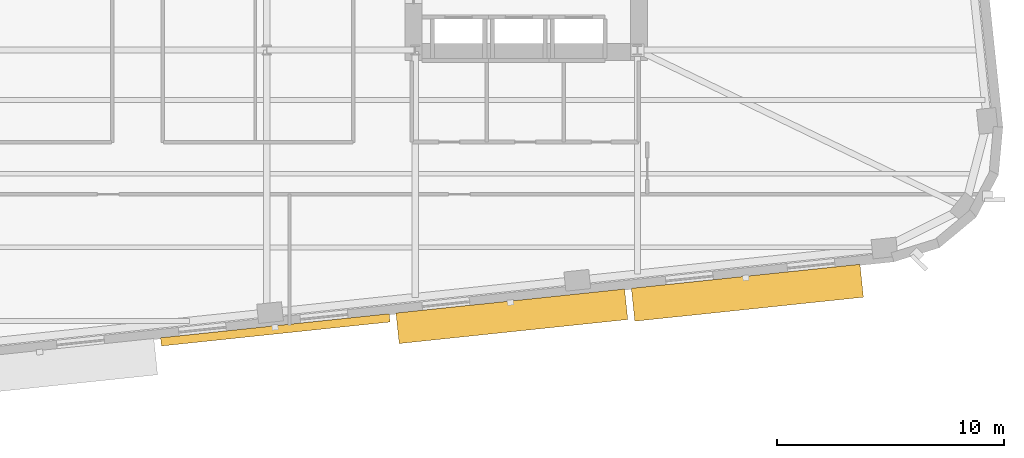
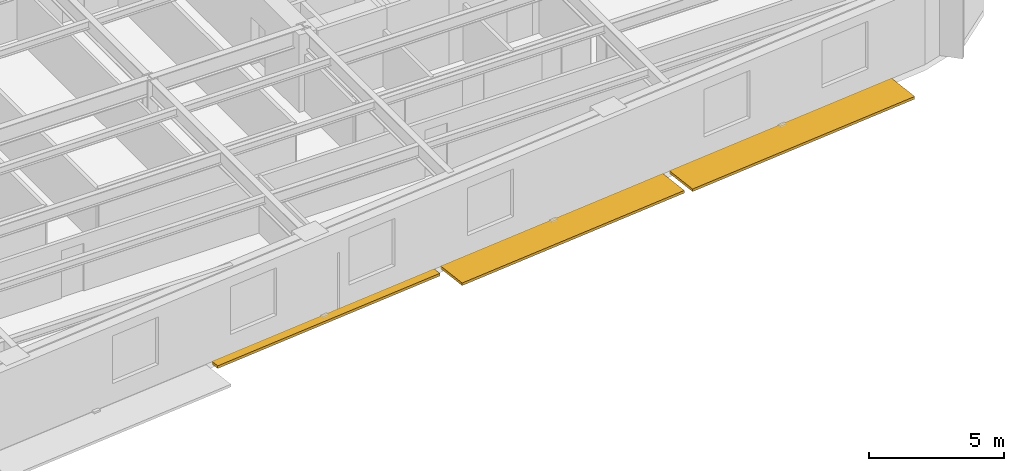
# One storey, part 11 of 15: 3 shading devices.
"""IFC4 building model written with IfcOpenShell, lengths in metres."""

from ifc_helpers import new_model, si_unit, direction, frame, origin, origin_2d, place, context, subcontext, project, spatial, rectangle, extrude, material, type_object, element, save


model = new_model("IFC4")

# Units and contexts
model_context = context("Model", 3, precision=1e-05, world=origin(), true_north=direction((0.0, 1.0)))
body_context = subcontext(model_context, "Body", "Model", "MODEL_VIEW")
ifc_project = project(units=[si_unit("LENGTHUNIT", "METRE"), si_unit("AREAUNIT", "SQUARE_METRE"), si_unit("VOLUMEUNIT", "CUBIC_METRE"), si_unit("PLANEANGLEUNIT", "RADIAN"), si_unit("MASSUNIT", "GRAM", prefix="KILO")], contexts=[model_context])

# Site, building, storey
site_placement = place(None, origin())
site = spatial("IfcSite", under=ifc_project, at=site_placement, CompositionType="ELEMENT")
building_placement = place(site_placement, origin())
building = spatial("IfcBuilding", under=site, at=building_placement, Name="Kolvaren Arena Tower", CompositionType="ELEMENT")
storey_placement = place(building_placement, frame((0.0, 0.0, 107.199951171875)))
storey = spatial("IfcBuildingStorey", under=building, at=storey_placement, Name="L24", CompositionType="ELEMENT", Elevation=107.199951171875)

# Shading devices
ifc_material = material(Name="Architectural precast GFRC and anodised aluminium sunshade", Category="concrete")
shading_device_type_1 = type_object("IfcShadingDeviceType", Name="SHAD-SINE-A", PredefinedType="USERDEFINED", material=ifc_material)
shading_device_1_placement = place(storey_placement, frame((44.377685546875, 7.109619140625, -0.139892578125), z_axis=(0.0, 0.0, 1.0), x_axis=(-0.994522077803, -0.104526727499, 0.0)))
element("IfcShadingDevice", 1, at=shading_device_1_placement, inside=storey, type_object=shading_device_type_1, Name="Sinusoidal Slab-Edge Sunshade Louvre (L24)", ObjectType="LOUVRE", PredefinedType="USERDEFINED", context=body_context, shape_type="SweptSolid", body=[
    extrude(rectangle(XDim=10.139892578125, YDim=0.36669921875, at=origin_2d()), origin(), (0.0, 0.0, 1.0), 0.1201171875),
])
shading_device_type_2 = type_object("IfcShadingDeviceType", Name="SHAD-SINE-B", PredefinedType="JALOUSIE", material=ifc_material)
shading_device_2_placement = place(storey_placement, frame((65.200439453125, 8.747802734375, -0.139892578125), z_axis=(0.0, 0.0, 1.0), x_axis=(-0.994522077803, -0.104526727499, 0.0)))
element("IfcShadingDevice", 2, at=shading_device_2_placement, inside=storey, type_object=shading_device_type_2, Name="Sinusoidal Slab-Edge Sunshade Louvre (L24)", PredefinedType="JALOUSIE", context=body_context, shape_type="SweptSolid", body=[
    extrude(rectangle(XDim=10.139892578125, YDim=1.461181640625, at=origin_2d()), origin(), (0.0, 0.0, 1.0), 0.1201171875),
])
shading_device_3_placement = place(storey_placement, frame((54.812255859375, 7.70947265625, -0.139892578125), z_axis=(0.0, 0.0, 1.0), x_axis=(-0.994522077803, -0.104526727499, 0.0)))
element("IfcShadingDevice", 3, at=shading_device_3_placement, inside=storey, type_object=shading_device_type_2, Name="Sinusoidal Slab-Edge Sunshade Louvre (L24)", PredefinedType="JALOUSIE", context=body_context, shape_type="SweptSolid", body=[
    extrude(rectangle(XDim=10.139892578125, YDim=1.35498046875, at=origin_2d()), origin(), (0.0, 0.0, 1.0), 0.1201171875),
])

save(model, "model.ifc")
